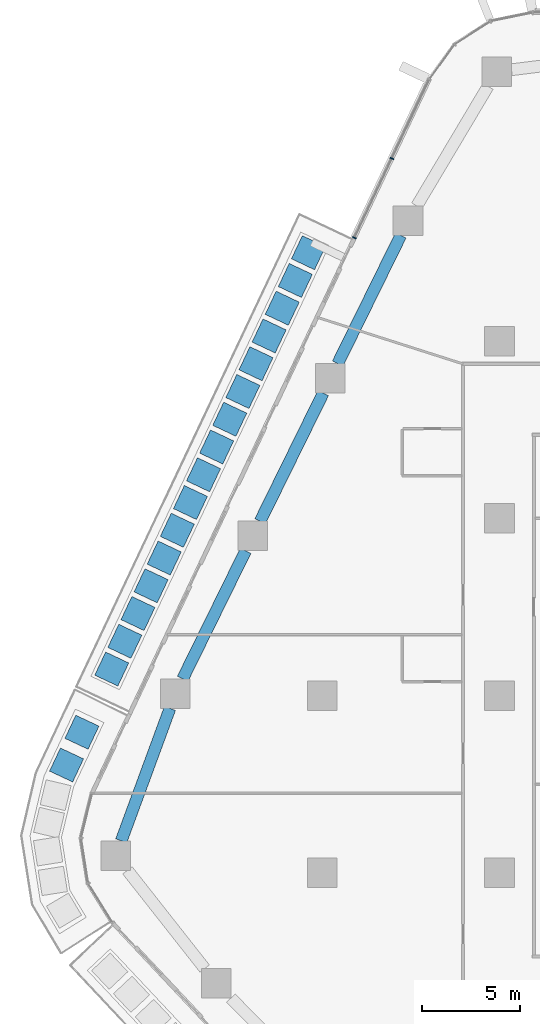
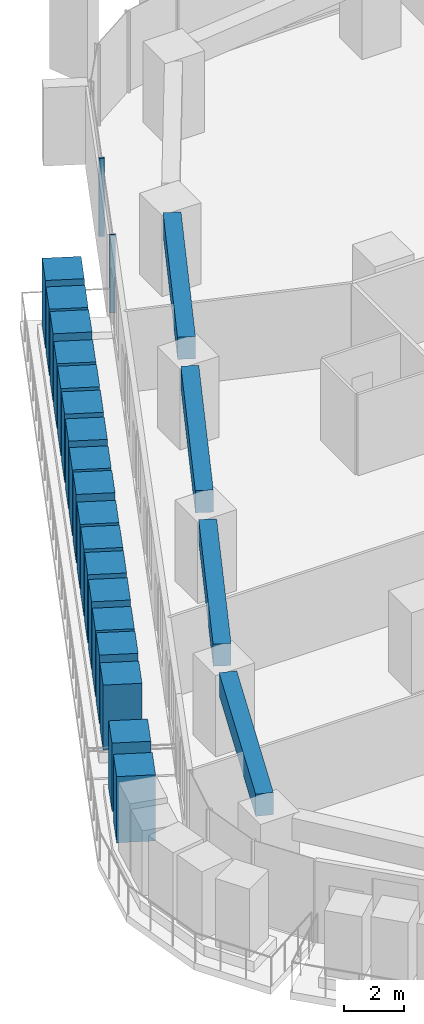
# One storey, part 5 of 25: 20 members, 4 beams, 1 element without a shape of its own.
"""IFC4 building model written with IfcOpenShell, lengths in metres."""

import ifcopenshell
import ifcopenshell.guid

model = None  # the IFC model being written
_history = None  # IfcOwnerHistory: only IFC2X3 demands one
_inside = {}  # id of a spatial element -> (the spatial element, [elements in it])
_under = {}  # id of a project, library or spatial element -> (it, [spatial elements below it])
_declared = {}  # id of a project -> (the project, [libraries it declares])
_typed = {}  # id of a type object -> (the type object, [elements of that type])
_made_of = {}  # id of a material, layer set ... -> (it, [elements and type objects made of it])


def new_model(schema):
    """Start an empty IFC model of exactly this schema.

    Asked for "IFC4X3", IfcOpenShell would pick the latest addendum, in which some entities
    have other attributes; the version numbers below select the first issue.
    IFC2X3 requires an IfcOwnerHistory on every rooted entity: one is made here for all.
    """
    global model, _history
    if schema == "IFC4X3":
        model = ifcopenshell.file(schema_version=(4, 3, 0, 0))
    else:
        model = ifcopenshell.file(schema=schema)
    _inside.clear()
    _under.clear()
    _declared.clear()
    _typed.clear()
    _made_of.clear()
    _history = None
    if model.schema == "IFC2X3":
        org = make("IfcOrganization", Name="unknown")
        user = make(
            "IfcPersonAndOrganization",
            ThePerson=make("IfcPerson", FamilyName="unknown"),
            TheOrganization=org,
        )
        app = make(
            "IfcApplication",
            ApplicationDeveloper=org,
            Version="unknown",
            ApplicationFullName="unknown",
            ApplicationIdentifier="unknown",
        )
        _history = make(
            "IfcOwnerHistory",
            OwningUser=user,
            OwningApplication=app,
            ChangeAction="ADDED",
            CreationDate=0,
        )
    return model


def make(cls, **values):
    """One entity of the class cls with the attributes given. An attribute that is None is left unset."""
    return model.create_entity(
        cls, **{name: value for name, value in values.items() if value is not None}
    )


def rooted(cls, **values):
    """An entity with a GlobalId (a new one), such as an element, a storey or a relation."""
    return make(cls, GlobalId=ifcopenshell.guid.new(), OwnerHistory=_history, **values)


def si_unit(unit_type, name, prefix=None):
    """IfcSIUnit, for example si_unit("LENGTHUNIT", "METRE", prefix="MILLI")."""
    return make("IfcSIUnit", UnitType=unit_type, Prefix=prefix, Name=name)


def assignment(units):
    """IfcUnitAssignment: the units of a project."""
    return None if units is None else make("IfcUnitAssignment", Units=units)


def point(xyz):
    """IfcCartesianPoint."""
    return None if xyz is None else make("IfcCartesianPoint", Coordinates=xyz)


def direction(xyz):
    """IfcDirection."""
    return None if xyz is None else make("IfcDirection", DirectionRatios=xyz)


def frame(location, z_axis=None, x_axis=None):
    """IfcAxis2Placement3D, a coordinate frame: its origin and axes. An axis left out is left unset."""
    return make(
        "IfcAxis2Placement3D",
        Location=point(location),
        Axis=direction(z_axis),
        RefDirection=direction(x_axis),
    )


def frame_2d(location, x_axis=None):
    """IfcAxis2Placement2D, a coordinate frame in the plane: its origin and x axis."""
    return make(
        "IfcAxis2Placement2D", Location=point(location), RefDirection=direction(x_axis)
    )


def origin():
    """The frame at (0, 0, 0) with its axes left unset."""
    return frame((0.0, 0.0, 0.0))


def origin_2d():
    """The frame at (0, 0) in the plane with its x axis left unset."""
    return frame_2d((0.0, 0.0))


def place(relative_to, where):
    """IfcLocalPlacement: puts the frame where relative to a parent placement (None: the world)."""
    return make(
        "IfcLocalPlacement", PlacementRelTo=relative_to, RelativePlacement=where
    )


def context(
    kind, dimensions, precision=None, world=None, true_north=None, identifier=None
):
    """IfcGeometricRepresentationContext, for example the 3D "Model" context."""
    return make(
        "IfcGeometricRepresentationContext",
        ContextIdentifier=identifier,
        ContextType=kind,
        CoordinateSpaceDimension=dimensions,
        Precision=precision,
        WorldCoordinateSystem=world,
        TrueNorth=true_north,
    )


def subcontext(parent, identifier, kind, view, scale=None):
    """IfcGeometricRepresentationSubContext, for example "Body" below "Model"."""
    return make(
        "IfcGeometricRepresentationSubContext",
        ContextIdentifier=identifier,
        ContextType=kind,
        ParentContext=parent,
        TargetScale=scale,
        TargetView=view,
    )


def project(units=None, contexts=None):
    """IfcProject with its units and contexts."""
    return rooted(
        "IfcProject",
        Name="project",
        RepresentationContexts=contexts,
        UnitsInContext=assignment(units),
    )


def spatial(cls, under=None, at=None, **own):
    """A site, building, storey or space (cls), placed at a placement, below another one or the project."""
    s = rooted(cls, ObjectPlacement=at, **own)
    if under is not None:
        _under.setdefault(under.id(), (under, []))[1].append(s)
    return s


def profile(cls, at=None, kind="AREA", **sizes):
    """A parametric profile (cls). Its sizes go by their IFC names, for example OverallWidth=200.0."""
    return make(cls, ProfileType=kind, Position=at, **sizes)


def rectangle(**sizes):
    """IfcRectangleProfileDef."""
    return profile("IfcRectangleProfileDef", **sizes)


def extrude(swept, where, along, depth):
    """IfcExtrudedAreaSolid: the profile swept, set in the frame where, extruded along a direction by depth."""
    return make(
        "IfcExtrudedAreaSolid",
        SweptArea=swept,
        Position=where,
        ExtrudedDirection=direction(along),
        Depth=depth,
    )


def shape(context_of_items, identifier, shape_type, items):
    """IfcShapeRepresentation: the items that make up one representation, for example the "Body"."""
    return make(
        "IfcShapeRepresentation",
        ContextOfItems=context_of_items,
        RepresentationIdentifier=identifier,
        RepresentationType=shape_type,
        Items=items,
    )


def material(Name=None, Category=None):
    """IfcMaterial."""
    return make("IfcMaterial", Name=Name, Category=Category)


def layer(
    of_material, thickness, ventilated=None, Name=None, Category=None, Priority=None
):
    """IfcMaterialLayer: one layer of a wall or slab, of a material (None: an air gap)."""
    return make(
        "IfcMaterialLayer",
        Material=of_material,
        LayerThickness=thickness,
        IsVentilated=ventilated,
        Name=Name,
        Category=Category,
        Priority=Priority,
    )


def layer_set(layers, Name=None):
    """IfcMaterialLayerSet."""
    return make("IfcMaterialLayerSet", MaterialLayers=layers, LayerSetName=Name)


def material_profile(
    of_material, cross_section, Name=None, Category=None, Priority=None
):
    """IfcMaterialProfile: a cross section and its material."""
    return make(
        "IfcMaterialProfile",
        Name=Name,
        Material=of_material,
        Profile=cross_section,
        Priority=Priority,
        Category=Category,
    )


def profile_set(profiles, Name=None, composite=None):
    """IfcMaterialProfileSet."""
    return make(
        "IfcMaterialProfileSet",
        Name=Name,
        MaterialProfiles=profiles,
        CompositeProfile=composite,
    )


def made_of(thing, what):
    """Note that an element or type object is made of a material, layer set ...; save() writes the relation."""
    if what is not None:
        _made_of.setdefault(what.id(), (what, []))[1].append(thing)
    return thing


def type_object(cls, material=None, **own):
    """A type object (cls), such as IfcWallType, which elements share."""
    return made_of(rooted(cls, **own), material)


def element(
    cls,
    number,
    at=None,
    inside=None,
    cuts=None,
    type_object=None,
    material=None,
    context=None,
    identifier="Body",
    shape_type=None,
    held_by="IfcProductDefinitionShape",
    body=None,
    shapes=None,
    **own,
):
    """One element of the class cls, such as IfcWall. Its Tag is "e" and its number.

    at: its placement. inside: the storey or other place that contains it. cuts: it is an
    opening in that element (IfcRelVoidsElement). A single representation is given by context,
    identifier, shape_type and body (its items); several are given by shapes. held_by: the class
    of the entity that holds the representations. save() writes the other relations.
    """
    e = rooted(cls, Tag="e%d" % number, ObjectPlacement=at, **own)
    if body is not None:
        shapes = [shape(context, identifier, shape_type, body)]
    if shapes is not None:
        e.Representation = make(held_by, Representations=shapes)
    if inside is not None:
        _inside.setdefault(inside.id(), (inside, []))[1].append(e)
    if cuts is not None:
        rooted(
            "IfcRelVoidsElement", RelatingBuildingElement=cuts, RelatedOpeningElement=e
        )
    if type_object is not None:
        _typed.setdefault(type_object.id(), (type_object, []))[1].append(e)
    return made_of(e, material)


def aggregate(whole, parts):
    """IfcRelAggregates: a whole, such as a stair, and the parts it consists of."""
    return rooted("IfcRelAggregates", RelatingObject=whole, RelatedObjects=parts)


def save(model, path):
    """Write the relations noted so far, then the file.

    IfcRelAggregates (storeys below a building ...), IfcRelContainedInSpatialStructure (elements
    in a storey), IfcRelDefinesByType, IfcRelAssociatesMaterial and IfcRelDeclares: one each for
    every whole, place, type object, material and project.
    """
    for whole, parts in _under.values():
        aggregate(whole, parts)
    for where, things in _inside.values():
        rooted(
            "IfcRelContainedInSpatialStructure",
            RelatedElements=things,
            RelatingStructure=where,
        )
    for kind, things in _typed.values():
        rooted("IfcRelDefinesByType", RelatedObjects=things, RelatingType=kind)
    for what, things in _made_of.values():
        rooted("IfcRelAssociatesMaterial", RelatedObjects=things, RelatingMaterial=what)
    for by, libraries in _declared.values():
        rooted("IfcRelDeclares", RelatingContext=by, RelatedDefinitions=libraries)
    model.write(path)


model = new_model("IFC4")

# Units and contexts
model_context = context("Model", 3, precision=1e-05, world=origin(), true_north=direction((0.0, 1.0)))
body_context = subcontext(model_context, "Body", "Model", "MODEL_VIEW")
ifc_project = project(units=[si_unit("LENGTHUNIT", "METRE"), si_unit("AREAUNIT", "SQUARE_METRE"), si_unit("VOLUMEUNIT", "CUBIC_METRE"), si_unit("PLANEANGLEUNIT", "RADIAN"), si_unit("MASSUNIT", "GRAM", prefix="KILO")], contexts=[model_context])

# Site, building, storey
site_placement = place(None, origin())
site = spatial("IfcSite", under=ifc_project, at=site_placement, CompositionType="ELEMENT")
building_placement = place(site_placement, origin())
building = spatial("IfcBuilding", under=site, at=building_placement, Name="Dongbaek Canopy Tower", CompositionType="ELEMENT")
storey_placement = place(building_placement, frame((0.0, 0.0, 77.300048828125)))
storey = spatial("IfcBuildingStorey", under=building, at=storey_placement, Name="L15", CompositionType="ELEMENT", Elevation=77.300048828125)

# Curtain wall, members
ifc_material_1 = material(Name="Aluminium 6063-T6 pale anodised", Category="aluminium")
ifc_layer = layer(ifc_material_1, 0.199951171875)
ifc_layer_set = layer_set([ifc_layer], Name="CW-1 unitised tower curtain wall")
curtain_wall_type = type_object("IfcCurtainWallType", Name="CW-1 unitised tower curtain wall", PredefinedType="NOTDEFINED", material=ifc_layer_set)
curtain_wall_placement = place(storey_placement, origin())
curtain_wall = element("IfcCurtainWall", 1, at=curtain_wall_placement, inside=storey, type_object=curtain_wall_type, Name="CW-1 curtain wall F2.1", PredefinedType="NOTDEFINED")
ifc_material_2 = material(Name="Aluminium 6063-T6 pale anodised", Category="aluminium")
ifc_material_profile_1 = material_profile(ifc_material_2, rectangle(XDim=0.199951171875, YDim=0.06005859375, at=origin_2d()), Name="CW-1 mullion 60 x 200")
ifc_profile_set_1 = profile_set([ifc_material_profile_1], Name="Aluminium 6063-T6 pale anodised")
member_type_1 = type_object("IfcMemberType", Name="CW-1 mullion 60 x 200", PredefinedType="MULLION", material=ifc_profile_set_1)
member_1_placement = place(storey_placement, frame((-23.4638671875, 27.283935546875, 0.119873046875), z_axis=(0.0, 0.0, 1.0), x_axis=(-0.904177236997, 0.427157493317, 0.0)))
member_1 = element("IfcMember", 2, at=member_1_placement, type_object=member_type_1, Name="CW-1 mullion F2.1.2", PredefinedType="MULLION", context=body_context, shape_type="SweptSolid", body=[
    extrude(rectangle(XDim=0.199951171875, YDim=0.06005859375, at=origin_2d()), origin(), (0.0, 0.0, 1.0), 3.18017578125),
])
member_2_placement = place(storey_placement, frame((-25.3681640625, 23.253173828125, 0.119873046875), z_axis=(0.0, 0.0, 1.0), x_axis=(-0.904177236997, 0.427157493317, 0.0)))
member_2 = element("IfcMember", 3, at=member_2_placement, type_object=member_type_1, Name="CW-1 mullion F2.1.3", PredefinedType="MULLION", context=body_context, shape_type="SweptSolid", body=[
    extrude(rectangle(XDim=0.199951171875, YDim=0.06005859375, at=origin_2d()), origin(), (0.0, 0.0, 1.0), 3.18017578125),
])
aggregate(curtain_wall, [member_1, member_2])

# Beams
ifc_material_3 = material(Name="Concrete C80", Category="concrete")
ifc_material_profile_2 = material_profile(ifc_material_3, rectangle(XDim=0.60009765625, YDim=0.89990234375, at=origin_2d()), Name="RC EDGE BEAM 600x900 C80")
ifc_profile_set_2 = profile_set([ifc_material_profile_2], Name="Concrete C80")
beam_type = type_object("IfcBeamType", Name="RC EDGE BEAM 600x900 C80", PredefinedType="BEAM", material=ifc_profile_set_2)
beam_1_placement = place(storey_placement, frame((-37.213134765625, -7.373046875, 2.849853515625), z_axis=(0.345225397682, 0.938519805223, 0.0), x_axis=(-0.938519805223, 0.345225397682, 0.0)))
element("IfcBeam", 4, at=beam_1_placement, inside=storey, type_object=beam_type, Name="EDGEBEAM:L15:08", PredefinedType="BEAM", context=body_context, shape_type="SweptSolid", body=[
    extrude(rectangle(XDim=0.60009765625, YDim=0.89990234375, at=origin_2d()), origin(), (0.0, 0.0, 1.0), 7.166748046875),
])
beam_2_placement = place(storey_placement, frame((-34.09423828125, 0.85302734375, 2.849853515625), z_axis=(0.441292548313, 0.897363297, 0.0), x_axis=(-0.897363297, 0.441292548313, 0.0)))
element("IfcBeam", 5, at=beam_2_placement, inside=storey, type_object=beam_type, Name="EDGEBEAM:L15:09", PredefinedType="BEAM", context=body_context, shape_type="SweptSolid", body=[
    extrude(rectangle(XDim=0.60009765625, YDim=0.89990234375, at=origin_2d()), origin(), (0.0, 0.0, 1.0), 7.25244140625),
])
for number, where, z_axis, x_axis, name in (
    (6, (-30.156005859375, 8.861083984375, 2.849853515625), (0.441413427837, 0.897303842477, 0.0), (-0.897303842477, 0.441413427837, 0.0), "EDGEBEAM:L15:10"),
    (7, (-26.217041015625, 16.867919921875, 2.849853515625), (0.441318766596, 0.897350403271, 0.0), (-0.897350403271, 0.441318766596, 0.0), "EDGEBEAM:L15:11"),
):
    element("IfcBeam", number, at=place(storey_placement, frame(where, z_axis=z_axis, x_axis=x_axis)), inside=storey, type_object=beam_type, Name=name, PredefinedType="BEAM", context=body_context, shape_type="SweptSolid", body=[
        extrude(rectangle(XDim=0.60009765625, YDim=0.89990234375, at=origin_2d()), origin(), (0.0, 0.0, 1.0), 7.25146484375),
    ])

# Members
ifc_material_4 = material(Name="Concrete C40/50 planter mass with planting", Category="concrete")
ifc_material_profile_3 = material_profile(ifc_material_4, rectangle(XDim=1.300048828125, YDim=1.300048828125, at=origin_2d()), Name="Terrace PLANTER shrub mass 1300 x 1300")
ifc_profile_set_3 = profile_set([ifc_material_profile_3], Name="Concrete C40/50 planter mass with planting")
member_type_2 = type_object("IfcMemberType", Name="Terrace PLANTER shrub mass 1300 x 1300", PredefinedType="USERDEFINED", material=ifc_profile_set_3)
member_3_placement = place(storey_placement, frame((-27.7041015625, 22.4990234375, 0.419921875), z_axis=(0.0, 0.0, 1.0), x_axis=(-0.904177236997, 0.427157493317, 0.0)))
element("IfcMember", 8, at=member_3_placement, inside=storey, type_object=member_type_2, Name="Planter shrubs L15 2.1", ObjectType="PLANTER", PredefinedType="USERDEFINED", context=body_context, shape_type="SweptSolid", body=[
    extrude(rectangle(XDim=1.300048828125, YDim=1.300048828125, at=origin_2d()), origin(), (0.0, 0.0, 1.0), 2.77001953125),
])
member_4_placement = place(storey_placement, frame((-28.3701171875, 21.089111328125, 0.419921875), z_axis=(0.0, 0.0, 1.0), x_axis=(-0.904177236997, 0.427157493317, 0.0)))
element("IfcMember", 9, at=member_4_placement, inside=storey, type_object=member_type_2, Name="Planter shrubs L15 2.2", ObjectType="PLANTER", PredefinedType="USERDEFINED", context=body_context, shape_type="SweptSolid", body=[
    extrude(rectangle(XDim=1.300048828125, YDim=1.300048828125, at=origin_2d()), origin(), (0.0, 0.0, 1.0), 2.68994140625),
])
member_5_placement = place(storey_placement, frame((-29.0361328125, 19.67919921875, 0.419921875), z_axis=(0.0, 0.0, 1.0), x_axis=(-0.904177236997, 0.427157493317, 0.0)))
element("IfcMember", 10, at=member_5_placement, inside=storey, type_object=member_type_2, Name="Planter shrubs L15 2.3", ObjectType="PLANTER", PredefinedType="USERDEFINED", context=body_context, shape_type="SweptSolid", body=[
    extrude(rectangle(XDim=1.300048828125, YDim=1.300048828125, at=origin_2d()), origin(), (0.0, 0.0, 1.0), 2.780029296875),
])
member_6_placement = place(storey_placement, frame((-29.7021484375, 18.269287109375, 0.419921875), z_axis=(0.0, 0.0, 1.0), x_axis=(-0.904177236997, 0.427157493317, 0.0)))
element("IfcMember", 11, at=member_6_placement, inside=storey, type_object=member_type_2, Name="Planter shrubs L15 2.4", ObjectType="PLANTER", PredefinedType="USERDEFINED", context=body_context, shape_type="SweptSolid", body=[
    extrude(rectangle(XDim=1.300048828125, YDim=1.300048828125, at=origin_2d()), origin(), (0.0, 0.0, 1.0), 2.650146484375),
])
member_7_placement = place(storey_placement, frame((-30.368408203125, 16.859375, 0.419921875), z_axis=(0.0, 0.0, 1.0), x_axis=(-0.904177236997, 0.427157493317, 0.0)))
element("IfcMember", 12, at=member_7_placement, inside=storey, type_object=member_type_2, Name="Planter shrubs L15 2.5", ObjectType="PLANTER", PredefinedType="USERDEFINED", context=body_context, shape_type="SweptSolid", body=[
    extrude(rectangle(XDim=1.300048828125, YDim=1.300048828125, at=origin_2d()), origin(), (0.0, 0.0, 1.0), 2.72998046875),
])
member_8_placement = place(storey_placement, frame((-31.034423828125, 15.44970703125, 0.419921875), z_axis=(0.0, 0.0, 1.0), x_axis=(-0.904177236997, 0.427157493317, 0.0)))
element("IfcMember", 13, at=member_8_placement, inside=storey, type_object=member_type_2, Name="Planter shrubs L15 2.6", ObjectType="PLANTER", PredefinedType="USERDEFINED", context=body_context, shape_type="SweptSolid", body=[
    extrude(rectangle(XDim=1.300048828125, YDim=1.300048828125, at=origin_2d()), origin(), (0.0, 0.0, 1.0), 2.780029296875),
])
member_9_placement = place(storey_placement, frame((-31.700439453125, 14.039794921875, 0.419921875), z_axis=(0.0, 0.0, 1.0), x_axis=(-0.904177236997, 0.427157493317, 0.0)))
element("IfcMember", 14, at=member_9_placement, inside=storey, type_object=member_type_2, Name="Planter shrubs L15 2.7", ObjectType="PLANTER", PredefinedType="USERDEFINED", context=body_context, shape_type="SweptSolid", body=[
    extrude(rectangle(XDim=1.300048828125, YDim=1.300048828125, at=origin_2d()), origin(), (0.0, 0.0, 1.0), 2.77001953125),
])
member_10_placement = place(storey_placement, frame((-32.366455078125, 12.6298828125, 0.419921875), z_axis=(0.0, 0.0, 1.0), x_axis=(-0.904177236997, 0.427157493317, 0.0)))
element("IfcMember", 15, at=member_10_placement, inside=storey, type_object=member_type_2, Name="Planter shrubs L15 2.8", ObjectType="PLANTER", PredefinedType="USERDEFINED", context=body_context, shape_type="SweptSolid", body=[
    extrude(rectangle(XDim=1.300048828125, YDim=1.300048828125, at=origin_2d()), origin(), (0.0, 0.0, 1.0), 2.68994140625),
])
member_11_placement = place(storey_placement, frame((-33.032470703125, 11.219970703125, 0.419921875), z_axis=(0.0, 0.0, 1.0), x_axis=(-0.904177236997, 0.427157493317, 0.0)))
element("IfcMember", 16, at=member_11_placement, inside=storey, type_object=member_type_2, Name="Planter shrubs L15 2.9", ObjectType="PLANTER", PredefinedType="USERDEFINED", context=body_context, shape_type="SweptSolid", body=[
    extrude(rectangle(XDim=1.300048828125, YDim=1.300048828125, at=origin_2d()), origin(), (0.0, 0.0, 1.0), 2.780029296875),
])
member_12_placement = place(storey_placement, frame((-33.69873046875, 9.81005859375, 0.419921875), z_axis=(0.0, 0.0, 1.0), x_axis=(-0.904177236997, 0.427157493317, 0.0)))
element("IfcMember", 17, at=member_12_placement, inside=storey, type_object=member_type_2, Name="Planter shrubs L15 2.10", ObjectType="PLANTER", PredefinedType="USERDEFINED", context=body_context, shape_type="SweptSolid", body=[
    extrude(rectangle(XDim=1.300048828125, YDim=1.300048828125, at=origin_2d()), origin(), (0.0, 0.0, 1.0), 2.650146484375),
])
member_13_placement = place(storey_placement, frame((-34.36474609375, 8.400146484375, 0.419921875), z_axis=(0.0, 0.0, 1.0), x_axis=(-0.904177236997, 0.427157493317, 0.0)))
element("IfcMember", 18, at=member_13_placement, inside=storey, type_object=member_type_2, Name="Planter shrubs L15 2.11", ObjectType="PLANTER", PredefinedType="USERDEFINED", context=body_context, shape_type="SweptSolid", body=[
    extrude(rectangle(XDim=1.300048828125, YDim=1.300048828125, at=origin_2d()), origin(), (0.0, 0.0, 1.0), 2.72998046875),
])
member_14_placement = place(storey_placement, frame((-35.03076171875, 6.990234375, 0.419921875), z_axis=(0.0, 0.0, 1.0), x_axis=(-0.904177236997, 0.427157493317, 0.0)))
element("IfcMember", 19, at=member_14_placement, inside=storey, type_object=member_type_2, Name="Planter shrubs L15 2.12", ObjectType="PLANTER", PredefinedType="USERDEFINED", context=body_context, shape_type="SweptSolid", body=[
    extrude(rectangle(XDim=1.300048828125, YDim=1.300048828125, at=origin_2d()), origin(), (0.0, 0.0, 1.0), 2.780029296875),
])
member_15_placement = place(storey_placement, frame((-35.69677734375, 5.58056640625, 0.419921875), z_axis=(0.0, 0.0, 1.0), x_axis=(-0.904177236997, 0.427157493317, 0.0)))
element("IfcMember", 20, at=member_15_placement, inside=storey, type_object=member_type_2, Name="Planter shrubs L15 2.13", ObjectType="PLANTER", PredefinedType="USERDEFINED", context=body_context, shape_type="SweptSolid", body=[
    extrude(rectangle(XDim=1.300048828125, YDim=1.300048828125, at=origin_2d()), origin(), (0.0, 0.0, 1.0), 2.77001953125),
])
member_16_placement = place(storey_placement, frame((-36.36279296875, 4.170654296875, 0.419921875), z_axis=(0.0, 0.0, 1.0), x_axis=(-0.904177236997, 0.427157493317, 0.0)))
element("IfcMember", 21, at=member_16_placement, inside=storey, type_object=member_type_2, Name="Planter shrubs L15 2.14", ObjectType="PLANTER", PredefinedType="USERDEFINED", context=body_context, shape_type="SweptSolid", body=[
    extrude(rectangle(XDim=1.300048828125, YDim=1.300048828125, at=origin_2d()), origin(), (0.0, 0.0, 1.0), 2.68994140625),
])
member_17_placement = place(storey_placement, frame((-37.029052734375, 2.7607421875, 0.419921875), z_axis=(0.0, 0.0, 1.0), x_axis=(-0.904177236997, 0.427157493317, 0.0)))
element("IfcMember", 22, at=member_17_placement, inside=storey, type_object=member_type_2, Name="Planter shrubs L15 2.15", ObjectType="PLANTER", PredefinedType="USERDEFINED", context=body_context, shape_type="SweptSolid", body=[
    extrude(rectangle(XDim=1.300048828125, YDim=1.300048828125, at=origin_2d()), origin(), (0.0, 0.0, 1.0), 2.780029296875),
])
member_18_placement = place(storey_placement, frame((-37.695068359375, 1.350830078125, 0.419921875), z_axis=(0.0, 0.0, 1.0), x_axis=(-0.904177236997, 0.427157493317, 0.0)))
element("IfcMember", 23, at=member_18_placement, inside=storey, type_object=member_type_2, Name="Planter shrubs L15 2.16", ObjectType="PLANTER", PredefinedType="USERDEFINED", context=body_context, shape_type="SweptSolid", body=[
    extrude(rectangle(XDim=1.300048828125, YDim=1.300048828125, at=origin_2d()), origin(), (0.0, 0.0, 1.0), 2.650146484375),
])
member_19_placement = place(storey_placement, frame((-39.208984375, -1.858642578125, 0.419921875), z_axis=(0.0, 0.0, 1.0), x_axis=(-0.905149194471, 0.425094031654, 0.0)))
element("IfcMember", 24, at=member_19_placement, inside=storey, type_object=member_type_2, Name="Planter shrubs L15 6.1", ObjectType="PLANTER", PredefinedType="USERDEFINED", context=body_context, shape_type="SweptSolid", body=[
    extrude(rectangle(XDim=1.300048828125, YDim=1.300048828125, at=origin_2d()), origin(), (0.0, 0.0, 1.0), 2.77001953125),
])
member_20_placement = place(storey_placement, frame((-39.990478515625, -3.5224609375, 0.419921875), z_axis=(0.0, 0.0, 1.0), x_axis=(-0.905149194471, 0.425094031654, 0.0)))
element("IfcMember", 25, at=member_20_placement, inside=storey, type_object=member_type_2, Name="Planter shrubs L15 6.2", ObjectType="PLANTER", PredefinedType="USERDEFINED", context=body_context, shape_type="SweptSolid", body=[
    extrude(rectangle(XDim=1.300048828125, YDim=1.300048828125, at=origin_2d()), origin(), (0.0, 0.0, 1.0), 2.68994140625),
])

save(model, "model.ifc")
